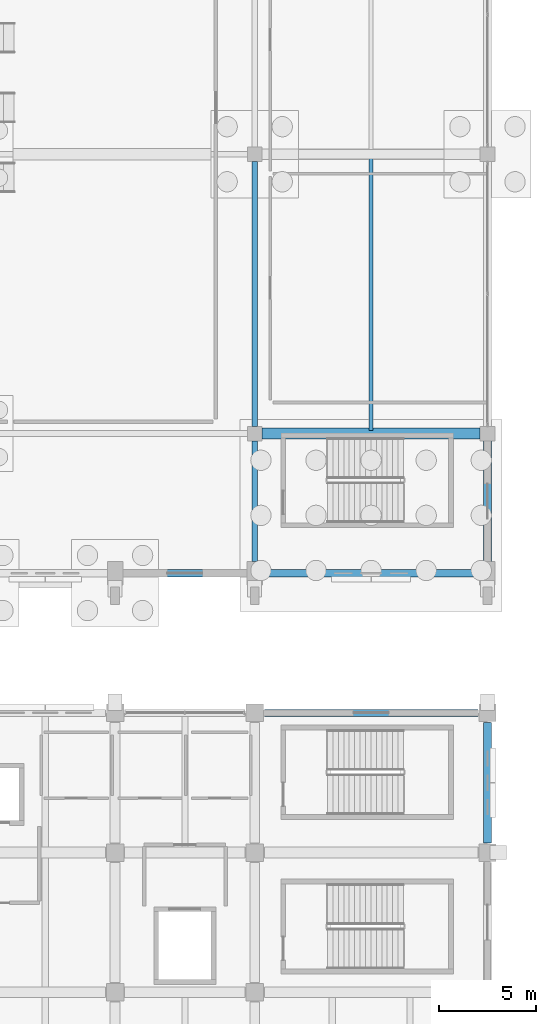
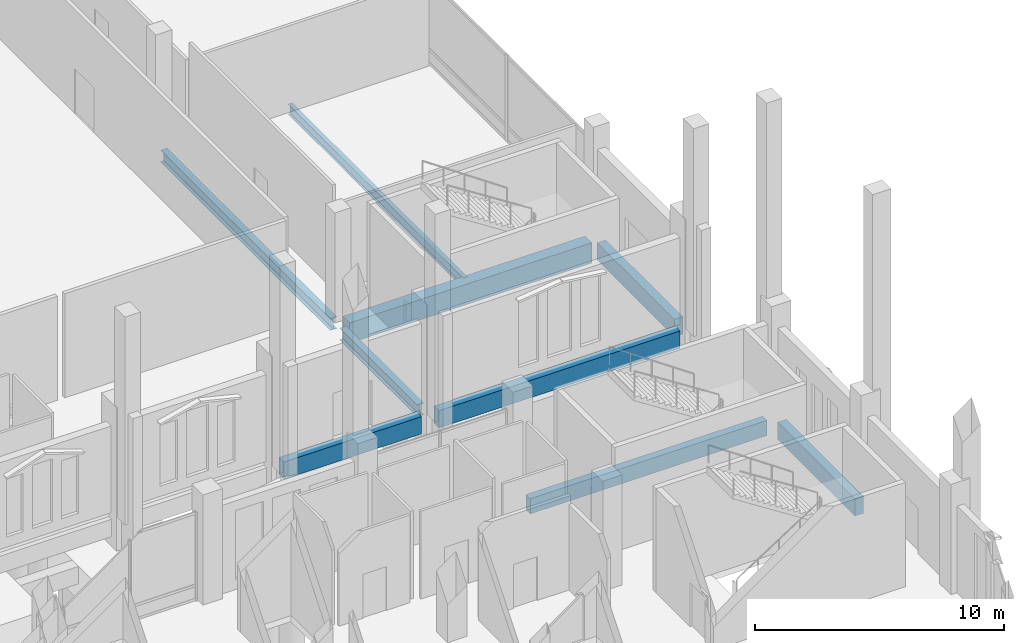
# One storey, part 104 of 192: 9 beams.
"""IFC4 building model written with IfcOpenShell, lengths in metres."""

from ifc_helpers import new_model, si_unit, direction, frame, origin, origin_2d, place, context, subcontext, project, spatial, rectangle, i_section, extrude, material, material_profile, profile_set, type_object, element, save


model = new_model("IFC4")

# Units and contexts
model_context = context("Model", 3, precision=1e-05, world=origin(), true_north=direction((0.0, 1.0)))
body_context = subcontext(model_context, "Body", "Model", "MODEL_VIEW")
ifc_project = project(units=[si_unit("LENGTHUNIT", "METRE"), si_unit("AREAUNIT", "SQUARE_METRE"), si_unit("VOLUMEUNIT", "CUBIC_METRE"), si_unit("PLANEANGLEUNIT", "RADIAN"), si_unit("MASSUNIT", "GRAM", prefix="KILO")], contexts=[model_context])

# Site, building, storey
site_placement = place(None, origin())
site = spatial("IfcSite", under=ifc_project, at=site_placement, CompositionType="ELEMENT")
building_placement = place(site_placement, origin())
building = spatial("IfcBuilding", under=site, at=building_placement, Name="Cendralis Lancet Convention Centre", CompositionType="ELEMENT")
storey_placement = place(building_placement, origin())
storey = spatial("IfcBuildingStorey", under=building, at=storey_placement, Name="L00", CompositionType="ELEMENT", Elevation=0.0)

# Beams
ifc_material_1 = material(Name="Concrete G40 (C40/50)", Category="concrete")
ifc_material_profile_1 = material_profile(ifc_material_1, rectangle(XDim=0.550048828125, YDim=1.0, at=origin_2d()), Name="RCB 550x1000")
ifc_profile_set_1 = profile_set([ifc_material_profile_1], Name="Concrete G40 (C40/50)")
beam_type_1 = type_object("IfcBeamType", Name="STR-BM-BG05", PredefinedType="BEAM", material=ifc_profile_set_1)
beam_1_placement = place(storey_placement, frame((197.175048828125, 50.39990234375, -0.820068359375), z_axis=(1.0, 0.0, 0.0), x_axis=(0.0, 1.0, 0.0)))
element("IfcBeam", 1, at=beam_1_placement, inside=storey, type_object=beam_type_1, Name="L00 Beam BG05 #1357", PredefinedType="BEAM", context=body_context, shape_type="SweptSolid", body=[
    extrude(rectangle(XDim=0.550048828125, YDim=1.0, at=origin_2d()), origin(), (0.0, 0.0, 1.0), 11.25),
])
ifc_material_2 = material(Name="Steel S355", Category="steel")
ifc_material_profile_2 = material_profile(ifc_material_2, i_section(OverallWidth=0.300048828125, OverallDepth=0.590087890625, WebThickness=0.012939453125, FlangeThickness=0.02490234375, FilletRadius=0.027099609375, at=origin_2d()), Name="HEA 600")
ifc_profile_set_2 = profile_set([ifc_material_profile_2], Name="Steel S355")
beam_type_2 = type_object("IfcBeamType", Name="STR-BM-SG10", PredefinedType="BEAM", material=ifc_profile_set_2)
beam_2_placement = place(storey_placement, frame((196.800048828125, 43.800048828125, -0.614990234375), z_axis=(0.0, 1.0, 0.0), x_axis=(-1.0, 0.0, 0.0)))
element("IfcBeam", 2, at=beam_2_placement, inside=storey, type_object=beam_type_2, Name="L00 Beam SG10 #1377", PredefinedType="BEAM", context=body_context, shape_type="SweptSolid", body=[
    extrude(i_section(OverallWidth=0.300048828125, OverallDepth=0.590087890625, WebThickness=0.012939453125, FlangeThickness=0.02490234375, FilletRadius=0.027099609375, at=origin_2d()), origin(), (0.0, 0.0, 1.0), 6.224853515625),
])
beam_3_placement = place(storey_placement, frame((196.800048828125, 50.77490234375, -0.614990234375), z_axis=(0.0, 1.0, 0.0), x_axis=(-1.0, 0.0, 0.0)))
element("IfcBeam", 3, at=beam_3_placement, inside=storey, type_object=beam_type_2, Name="L00 Beam SG10 #1378", PredefinedType="BEAM", context=body_context, shape_type="SweptSolid", body=[
    extrude(i_section(OverallWidth=0.300048828125, OverallDepth=0.590087890625, WebThickness=0.012939453125, FlangeThickness=0.02490234375, FilletRadius=0.027099609375, at=origin_2d()), origin(), (0.0, 0.0, 1.0), 13.650146484375),
])
ifc_material_profile_3 = material_profile(ifc_material_2, i_section(OverallWidth=0.199951171875, OverallDepth=0.5, WebThickness=0.01025390625, FlangeThickness=0.01611328125, FilletRadius=0.02099609375, at=origin_2d()), Name="IPE 500")
ifc_profile_set_3 = profile_set([ifc_material_profile_3], Name="Steel S355")
beam_type_3 = type_object("IfcBeamType", Name="STR-JS-BJ06", PredefinedType="JOIST", material=ifc_profile_set_3)
beam_4_placement = place(storey_placement, frame((202.800048828125, 50.550048828125, -0.570068359375), z_axis=(0.0, 1.0, 0.0), x_axis=(-1.0, 0.0, 0.0)))
element("IfcBeam", 4, at=beam_4_placement, inside=storey, type_object=beam_type_3, Name="L00 Beam BJ06 #1391", PredefinedType="JOIST", context=body_context, shape_type="SweptSolid", body=[
    extrude(i_section(OverallWidth=0.199951171875, OverallDepth=0.5, WebThickness=0.01025390625, FlangeThickness=0.01611328125, FilletRadius=0.02099609375, at=origin_2d()), origin(), (0.0, 0.0, 1.0), 14.099853515625),
])
ifc_material_profile_4 = material_profile(ifc_material_1, rectangle(XDim=0.35009765625, YDim=0.75, at=origin_2d()), Name="RCB 350x750")
ifc_profile_set_4 = profile_set([ifc_material_profile_4], Name="Concrete G40 (C40/50)")
beam_type_4 = type_object("IfcBeamType", Name="STR-SP-SP01", PredefinedType="SPANDREL", material=ifc_profile_set_4)
beam_5_placement = place(storey_placement, frame((197.300048828125, 36.0, -0.695068359375), z_axis=(1.0, 0.0, 0.0), x_axis=(0.0, 1.0, 0.0)))
element("IfcBeam", 5, at=beam_5_placement, inside=storey, type_object=beam_type_4, Name="L00 Beam SP01 #0050", PredefinedType="SPANDREL", context=body_context, shape_type="SweptSolid", body=[
    extrude(rectangle(XDim=0.35009765625, YDim=0.75, at=origin_2d()), origin(), (0.0, 0.0, 1.0), 11.0),
])
ifc_material_profile_5 = material_profile(ifc_material_1, rectangle(XDim=0.39990234375, YDim=0.85009765625, at=origin_2d()), Name="RCB 400x850")
ifc_profile_set_5 = profile_set([ifc_material_profile_5], Name="Concrete G40 (C40/50)")
beam_type_5 = type_object("IfcBeamType", Name="STR-SP-SP02", PredefinedType="SPANDREL", material=ifc_profile_set_5)
beam_6_placement = place(storey_placement, frame((208.800048828125, 29.300048828125, -0.7451171875), z_axis=(0.0, 1.0, 0.0), x_axis=(-1.0, 0.0, 0.0)))
element("IfcBeam", 6, at=beam_6_placement, inside=storey, type_object=beam_type_5, Name="L00 Beam SP02 #0092", PredefinedType="SPANDREL", context=body_context, shape_type="SweptSolid", body=[
    extrude(rectangle(XDim=0.39990234375, YDim=0.85009765625, at=origin_2d()), origin(), (0.0, 0.0, 1.0), 6.199951171875),
])
beam_7_placement = place(storey_placement, frame((190.0, 43.199951171875, -0.7451171875), z_axis=(1.0, 0.0, 0.0), x_axis=(0.0, 1.0, 0.0)))
element("IfcBeam", 7, at=beam_7_placement, inside=storey, type_object=beam_type_5, Name="L00 Beam SP02 #1344", PredefinedType="SPANDREL", context=body_context, shape_type="SweptSolid", body=[
    extrude(rectangle(XDim=0.39990234375, YDim=0.85009765625, at=origin_2d()), origin(), (0.0, 0.0, 1.0), 6.39990234375),
])
beam_8_placement = place(storey_placement, frame((197.199951171875, 43.199951171875, -0.7451171875), z_axis=(1.0, 0.0, 0.0), x_axis=(0.0, 1.0, 0.0)))
element("IfcBeam", 8, at=beam_8_placement, inside=storey, type_object=beam_type_5, Name="L00 Beam SP02 #1345", PredefinedType="SPANDREL", context=body_context, shape_type="SweptSolid", body=[
    extrude(rectangle(XDim=0.39990234375, YDim=0.85009765625, at=origin_2d()), origin(), (0.0, 0.0, 1.0), 11.199951171875),
])
beam_9_placement = place(storey_placement, frame((208.800048828125, 43.800048828125, -0.7451171875), z_axis=(0.0, 1.0, 0.0), x_axis=(-1.0, 0.0, 0.0)))
element("IfcBeam", 9, at=beam_9_placement, inside=storey, type_object=beam_type_5, Name="L00 Beam SP02 #1382", PredefinedType="SPANDREL", context=body_context, shape_type="SweptSolid", body=[
    extrude(rectangle(XDim=0.39990234375, YDim=0.85009765625, at=origin_2d()), origin(), (0.0, 0.0, 1.0), 6.224853515625),
])

save(model, "model.ifc")
